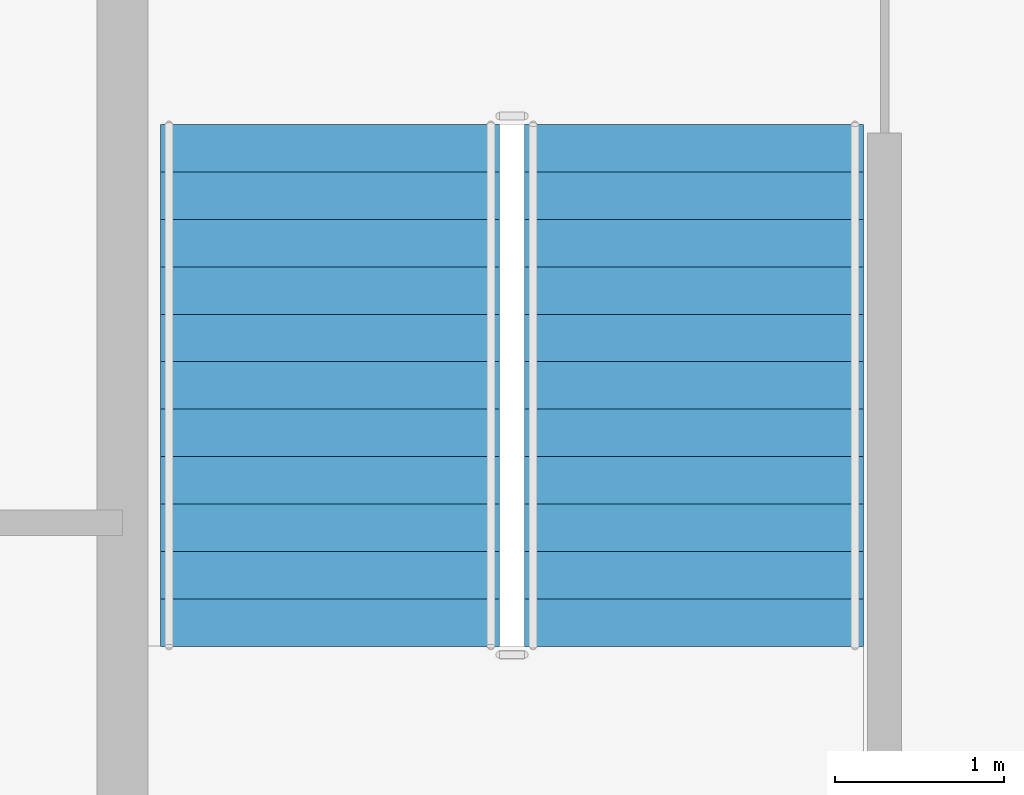
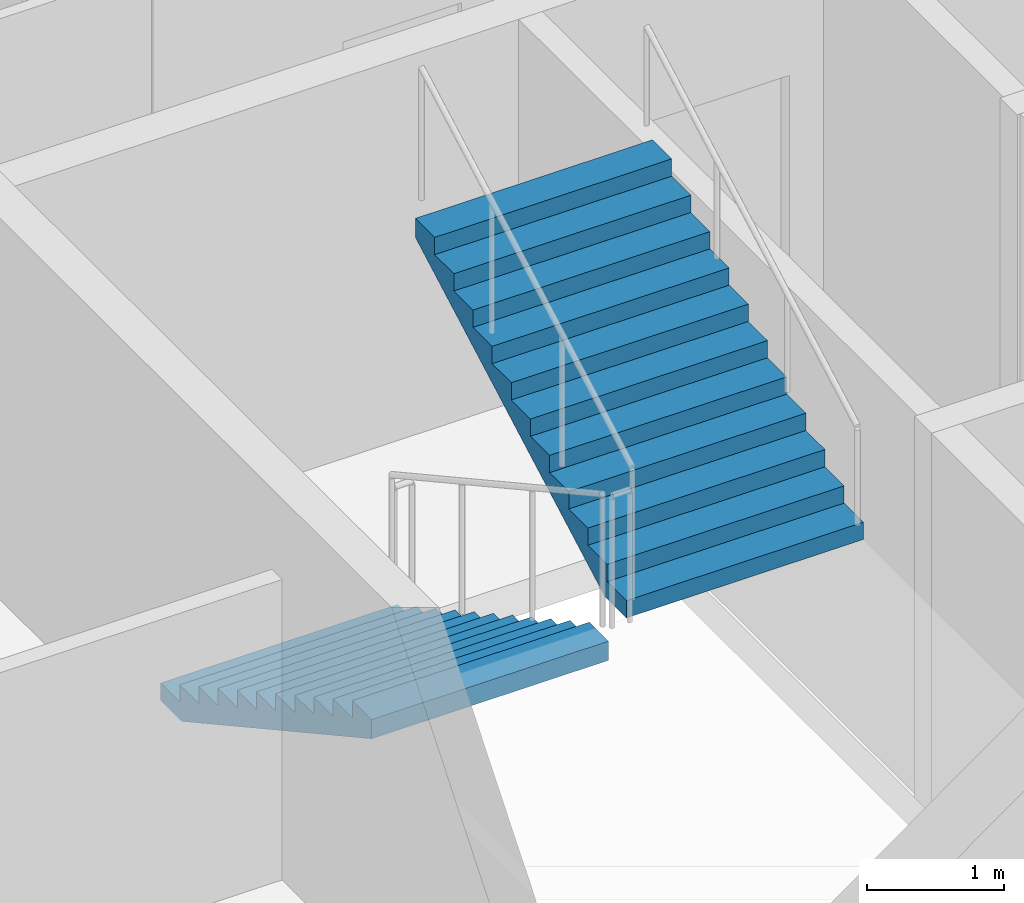
# One storey, part 9 of 17: 2 stair flights, 1 element without a shape of its own.
"""IFC4 building model written with IfcOpenShell, lengths in metres."""

from ifc_helpers import new_model, si_unit, direction, frame, origin, place, context, subcontext, project, spatial, polygons, material, type_object, element, aggregate, save


model = new_model("IFC4")

# Units and contexts
model_context = context("Model", 3, precision=1e-05, world=origin(), true_north=direction((0.0, 1.0)))
body_context = subcontext(model_context, "Body", "Model", "MODEL_VIEW")
ifc_project = project(units=[si_unit("LENGTHUNIT", "METRE"), si_unit("AREAUNIT", "SQUARE_METRE"), si_unit("VOLUMEUNIT", "CUBIC_METRE"), si_unit("PLANEANGLEUNIT", "RADIAN"), si_unit("MASSUNIT", "GRAM", prefix="KILO")], contexts=[model_context])

# Site, building, storey
site_placement = place(None, origin())
site = spatial("IfcSite", under=ifc_project, at=site_placement, CompositionType="ELEMENT")
building_placement = place(site_placement, origin())
building = spatial("IfcBuilding", under=site, at=building_placement, Name="Caravel Reach Hotel and Residences", CompositionType="ELEMENT")
storey_placement = place(building_placement, frame((0.0, 0.0, 222.0)))
storey = spatial("IfcBuildingStorey", under=building, at=storey_placement, Name="L56", CompositionType="ELEMENT", Elevation=222.0)

# Stair, stair flights
ifc_material_1 = material(Name="Concrete C40", Category="concrete")
stair_type = type_object("IfcStairType", Name="Core stair", PredefinedType="HALF_TURN_STAIR", material=ifc_material_1)
stair_placement = place(storey_placement, origin())
stair = element("IfcStair", 1, at=stair_placement, inside=storey, type_object=stair_type, Name="L56 Exit stair A", PredefinedType="HALF_TURN_STAIR")
ifc_material_2 = material(Name="Concrete C40", Category="concrete")
stair_flight_type = type_object("IfcStairFlightType", Name="Core stair flight", PredefinedType="STRAIGHT", material=ifc_material_2)
stair_flight_1_placement = place(storey_placement, frame((19.22509765625, 29.35009765625, 0.0), z_axis=(0.0, 0.0, 1.0), x_axis=(0.0, -1.0, 0.0)))
stair_flight_1 = element("IfcStairFlight", 2, at=stair_flight_1_placement, type_object=stair_flight_type, Name="ST-A flight 1", NumberOfRisers=12, NumberOfTreads=11, PredefinedType="STRAIGHT", RiserHeight=0.154166667, TreadLength=0.28, context=body_context, shape_type="Tessellation", body=[
    polygons([(0.3107950034306102, 1.0, 0.0), (0.3107950034306102, 0.6666666666666667, 0.0), (0.3107950034306102, 0.33333333333333337, 0.0), (0.3107950034306102, 0.0, 0.0), (0.3107950034306102, -0.33333333333333326, 0.0), (0.3107950034306102, -0.6666666666666667, 0.0), (0.3107950034306102, -1.0, 0.0), (3.081, 1.0, 1.524711087717319), (3.081, 0.6666666666666667, 1.524711087717319), (3.081, 0.33333333333333337, 1.524711087717319), (3.081, 0.0, 1.524711087717319), (3.081, -0.33333333333333326, 1.524711087717319), (3.081, -0.6666666666666667, 1.524711087717319), (3.081, -1.0, 1.524711087717319), (3.081, 1.0, 1.695833337), (3.081, 0.6666666666666667, 1.695833337), (3.081, 0.33333333333333337, 1.695833337), (3.081, 0.0, 1.695833337), (3.081, -0.33333333333333326, 1.695833337), (3.081, -0.6666666666666667, 1.695833337), (3.081, -1.0, 1.695833337), (2.8000000000000003, 1.0, 1.695833337), (2.8000000000000003, 0.6666666666666667, 1.695833337), (2.8000000000000003, 0.33333333333333337, 1.695833337), (2.8000000000000003, 0.0, 1.695833337), (2.8000000000000003, -0.33333333333333326, 1.695833337), (2.8000000000000003, -0.6666666666666667, 1.695833337), (2.8000000000000003, -1.0, 1.695833337), (2.8000000000000003, 1.0, 1.5416666700000001), (2.8000000000000003, 0.6666666666666667, 1.5416666700000001), (2.8000000000000003, 0.33333333333333337, 1.5416666700000001), (2.8000000000000003, 0.0, 1.5416666700000001), (2.8000000000000003, -0.33333333333333326, 1.5416666700000001), (2.8000000000000003, -0.6666666666666667, 1.5416666700000001), (2.8000000000000003, -1.0, 1.5416666700000001), (2.5200000000000005, 1.0, 1.5416666700000001), (2.5200000000000005, 0.6666666666666667, 1.5416666700000001), (2.5200000000000005, 0.33333333333333337, 1.5416666700000001), (2.5200000000000005, 0.0, 1.5416666700000001), (2.5200000000000005, -0.33333333333333326, 1.5416666700000001), (2.5200000000000005, -0.6666666666666667, 1.5416666700000001), (2.5200000000000005, -1.0, 1.5416666700000001), (2.5200000000000005, 1.0, 1.387500003), (2.5200000000000005, 0.6666666666666667, 1.387500003), (2.5200000000000005, 0.33333333333333337, 1.387500003), (2.5200000000000005, 0.0, 1.387500003), (2.5200000000000005, -0.33333333333333326, 1.387500003), (2.5200000000000005, -0.6666666666666667, 1.387500003), (2.5200000000000005, -1.0, 1.387500003), (2.24, 1.0, 1.387500003), (2.24, 0.6666666666666667, 1.387500003), (2.24, 0.33333333333333337, 1.387500003), (2.24, 0.0, 1.387500003), (2.24, -0.33333333333333326, 1.387500003), (2.24, -0.6666666666666667, 1.387500003), (2.24, -1.0, 1.387500003), (2.24, 1.0, 1.233333336), (2.24, 0.6666666666666667, 1.233333336), (2.24, 0.33333333333333337, 1.233333336), (2.24, 0.0, 1.233333336), (2.24, -0.33333333333333326, 1.233333336), (2.24, -0.6666666666666667, 1.233333336), (2.24, -1.0, 1.233333336), (1.9600000000000002, 1.0, 1.233333336), (1.9600000000000002, 0.6666666666666667, 1.233333336), (1.9600000000000002, 0.33333333333333337, 1.233333336), (1.9600000000000002, 0.0, 1.233333336), (1.9600000000000002, -0.33333333333333326, 1.233333336), (1.9600000000000002, -0.6666666666666667, 1.233333336), (1.9600000000000002, -1.0, 1.233333336), (1.9600000000000002, 1.0, 1.0791666690000001), (1.9600000000000002, 0.6666666666666667, 1.0791666690000001), (1.9600000000000002, 0.33333333333333337, 1.0791666690000001), (1.9600000000000002, 0.0, 1.0791666690000001), (1.9600000000000002, -0.33333333333333326, 1.0791666690000001), (1.9600000000000002, -0.6666666666666667, 1.0791666690000001), (1.9600000000000002, -1.0, 1.0791666690000001), (1.6800000000000002, 1.0, 1.0791666690000001), (1.6800000000000002, 0.6666666666666667, 1.0791666690000001), (1.6800000000000002, 0.33333333333333337, 1.0791666690000001), (1.6800000000000002, 0.0, 1.0791666690000001), (1.6800000000000002, -0.33333333333333326, 1.0791666690000001), (1.6800000000000002, -0.6666666666666667, 1.0791666690000001), (1.6800000000000002, -1.0, 1.0791666690000001), (1.6800000000000002, 1.0, 0.925000002), (1.6800000000000002, 0.6666666666666667, 0.925000002), (1.6800000000000002, 0.33333333333333337, 0.925000002), (1.6800000000000002, 0.0, 0.925000002), (1.6800000000000002, -0.33333333333333326, 0.925000002), (1.6800000000000002, -0.6666666666666667, 0.925000002), (1.6800000000000002, -1.0, 0.925000002), (1.4000000000000001, 1.0, 0.925000002), (1.4000000000000001, 0.6666666666666667, 0.925000002), (1.4000000000000001, 0.33333333333333337, 0.925000002), (1.4000000000000001, 0.0, 0.925000002), (1.4000000000000001, -0.33333333333333326, 0.925000002), (1.4000000000000001, -0.6666666666666667, 0.925000002), (1.4000000000000001, -1.0, 0.925000002), (1.4000000000000001, 1.0, 0.7708333350000001), (1.4000000000000001, 0.6666666666666667, 0.7708333350000001), (1.4000000000000001, 0.33333333333333337, 0.7708333350000001), (1.4000000000000001, 0.0, 0.7708333350000001), (1.4000000000000001, -0.33333333333333326, 0.7708333350000001), (1.4000000000000001, -0.6666666666666667, 0.7708333350000001), (1.4000000000000001, -1.0, 0.7708333350000001), (1.12, 1.0, 0.7708333350000001), (1.12, 0.6666666666666667, 0.7708333350000001), (1.12, 0.33333333333333337, 0.7708333350000001), (1.12, 0.0, 0.7708333350000001), (1.12, -0.33333333333333326, 0.7708333350000001), (1.12, -0.6666666666666667, 0.7708333350000001), (1.12, -1.0, 0.7708333350000001), (1.12, 1.0, 0.616666668), (1.12, 0.6666666666666667, 0.616666668), (1.12, 0.33333333333333337, 0.616666668), (1.12, 0.0, 0.616666668), (1.12, -0.33333333333333326, 0.616666668), (1.12, -0.6666666666666667, 0.616666668), (1.12, -1.0, 0.616666668), (0.8400000000000001, 1.0, 0.616666668), (0.8400000000000001, 0.6666666666666667, 0.616666668), (0.8400000000000001, 0.33333333333333337, 0.616666668), (0.8400000000000001, 0.0, 0.616666668), (0.8400000000000001, -0.33333333333333326, 0.616666668), (0.8400000000000001, -0.6666666666666667, 0.616666668), (0.8400000000000001, -1.0, 0.616666668), (0.8400000000000001, 1.0, 0.462500001), (0.8400000000000001, 0.6666666666666667, 0.462500001), (0.8400000000000001, 0.33333333333333337, 0.462500001), (0.8400000000000001, 0.0, 0.462500001), (0.8400000000000001, -0.33333333333333326, 0.462500001), (0.8400000000000001, -0.6666666666666667, 0.462500001), (0.8400000000000001, -1.0, 0.462500001), (0.56, 1.0, 0.462500001), (0.56, 0.6666666666666667, 0.462500001), (0.56, 0.33333333333333337, 0.462500001), (0.56, 0.0, 0.462500001), (0.56, -0.33333333333333326, 0.462500001), (0.56, -0.6666666666666667, 0.462500001), (0.56, -1.0, 0.462500001), (0.56, 1.0, 0.308333334), (0.56, 0.6666666666666667, 0.308333334), (0.56, 0.33333333333333337, 0.308333334), (0.56, 0.0, 0.308333334), (0.56, -0.33333333333333326, 0.308333334), (0.56, -0.6666666666666667, 0.308333334), (0.56, -1.0, 0.308333334), (0.28, 1.0, 0.308333334), (0.28, 0.6666666666666667, 0.308333334), (0.28, 0.33333333333333337, 0.308333334), (0.28, 0.0, 0.308333334), (0.28, -0.33333333333333326, 0.308333334), (0.28, -0.6666666666666667, 0.308333334), (0.28, -1.0, 0.308333334), (0.28, 1.0, 0.154166667), (0.28, 0.6666666666666667, 0.154166667), (0.28, 0.33333333333333337, 0.154166667), (0.28, 0.0, 0.154166667), (0.28, -0.33333333333333326, 0.154166667), (0.28, -0.6666666666666667, 0.154166667), (0.28, -1.0, 0.154166667), (-0.001, 1.0, 0.154166667), (-0.001, 0.6666666666666667, 0.154166667), (-0.001, 0.33333333333333337, 0.154166667), (-0.001, 0.0, 0.154166667), (-0.001, -0.33333333333333326, 0.154166667), (-0.001, -0.6666666666666667, 0.154166667), (-0.001, -1.0, 0.154166667), (-0.001, 1.0, 0.0), (-0.001, 0.6666666666666667, 0.0), (-0.001, 0.33333333333333337, 0.0), (-0.001, 0.0, 0.0), (-0.001, -0.33333333333333326, 0.0), (-0.001, -0.6666666666666667, 0.0), (-0.001, -1.0, 0.0)], [[[169, 162, 155, 148, 141, 134, 127, 120, 113, 106, 99, 92, 85, 78, 71, 64, 57, 50, 43, 36, 29, 22, 15, 8, 1]], [[7, 14, 21, 28, 35, 42, 49, 56, 63, 70, 77, 84, 91, 98, 105, 112, 119, 126, 133, 140, 147, 154, 161, 168, 175]], [[1, 8, 9, 2]], [[2, 9, 10, 3]], [[3, 10, 11, 4]], [[4, 11, 12, 5]], [[5, 12, 13, 6]], [[6, 13, 14, 7]], [[8, 15, 16, 9]], [[9, 16, 17, 10]], [[10, 17, 18, 11]], [[11, 18, 19, 12]], [[12, 19, 20, 13]], [[13, 20, 21, 14]], [[15, 22, 23, 16]], [[16, 23, 24, 17]], [[17, 24, 25, 18]], [[18, 25, 26, 19]], [[19, 26, 27, 20]], [[20, 27, 28, 21]], [[22, 29, 30, 23]], [[23, 30, 31, 24]], [[24, 31, 32, 25]], [[25, 32, 33, 26]], [[26, 33, 34, 27]], [[27, 34, 35, 28]], [[29, 36, 37, 30]], [[30, 37, 38, 31]], [[31, 38, 39, 32]], [[32, 39, 40, 33]], [[33, 40, 41, 34]], [[34, 41, 42, 35]], [[36, 43, 44, 37]], [[37, 44, 45, 38]], [[38, 45, 46, 39]], [[39, 46, 47, 40]], [[40, 47, 48, 41]], [[41, 48, 49, 42]], [[43, 50, 51, 44]], [[44, 51, 52, 45]], [[45, 52, 53, 46]], [[46, 53, 54, 47]], [[47, 54, 55, 48]], [[48, 55, 56, 49]], [[50, 57, 58, 51]], [[51, 58, 59, 52]], [[52, 59, 60, 53]], [[53, 60, 61, 54]], [[54, 61, 62, 55]], [[55, 62, 63, 56]], [[57, 64, 65, 58]], [[58, 65, 66, 59]], [[59, 66, 67, 60]], [[60, 67, 68, 61]], [[61, 68, 69, 62]], [[62, 69, 70, 63]], [[64, 71, 72, 65]], [[65, 72, 73, 66]], [[66, 73, 74, 67]], [[67, 74, 75, 68]], [[68, 75, 76, 69]], [[69, 76, 77, 70]], [[71, 78, 79, 72]], [[72, 79, 80, 73]], [[73, 80, 81, 74]], [[74, 81, 82, 75]], [[75, 82, 83, 76]], [[76, 83, 84, 77]], [[78, 85, 86, 79]], [[79, 86, 87, 80]], [[80, 87, 88, 81]], [[81, 88, 89, 82]], [[82, 89, 90, 83]], [[83, 90, 91, 84]], [[85, 92, 93, 86]], [[86, 93, 94, 87]], [[87, 94, 95, 88]], [[88, 95, 96, 89]], [[89, 96, 97, 90]], [[90, 97, 98, 91]], [[92, 99, 100, 93]], [[93, 100, 101, 94]], [[94, 101, 102, 95]], [[95, 102, 103, 96]], [[96, 103, 104, 97]], [[97, 104, 105, 98]], [[99, 106, 107, 100]], [[100, 107, 108, 101]], [[101, 108, 109, 102]], [[102, 109, 110, 103]], [[103, 110, 111, 104]], [[104, 111, 112, 105]], [[106, 113, 114, 107]], [[107, 114, 115, 108]], [[108, 115, 116, 109]], [[109, 116, 117, 110]], [[110, 117, 118, 111]], [[111, 118, 119, 112]], [[113, 120, 121, 114]], [[114, 121, 122, 115]], [[115, 122, 123, 116]], [[116, 123, 124, 117]], [[117, 124, 125, 118]], [[118, 125, 126, 119]], [[120, 127, 128, 121]], [[121, 128, 129, 122]], [[122, 129, 130, 123]], [[123, 130, 131, 124]], [[124, 131, 132, 125]], [[125, 132, 133, 126]], [[127, 134, 135, 128]], [[128, 135, 136, 129]], [[129, 136, 137, 130]], [[130, 137, 138, 131]], [[131, 138, 139, 132]], [[132, 139, 140, 133]], [[134, 141, 142, 135]], [[135, 142, 143, 136]], [[136, 143, 144, 137]], [[137, 144, 145, 138]], [[138, 145, 146, 139]], [[139, 146, 147, 140]], [[141, 148, 149, 142]], [[142, 149, 150, 143]], [[143, 150, 151, 144]], [[144, 151, 152, 145]], [[145, 152, 153, 146]], [[146, 153, 154, 147]], [[148, 155, 156, 149]], [[149, 156, 157, 150]], [[150, 157, 158, 151]], [[151, 158, 159, 152]], [[152, 159, 160, 153]], [[153, 160, 161, 154]], [[155, 162, 163, 156]], [[156, 163, 164, 157]], [[157, 164, 165, 158]], [[158, 165, 166, 159]], [[159, 166, 167, 160]], [[160, 167, 168, 161]], [[162, 169, 170, 163]], [[163, 170, 171, 164]], [[164, 171, 172, 165]], [[165, 172, 173, 166]], [[166, 173, 174, 167]], [[167, 174, 175, 168]], [[169, 1, 2, 170]], [[170, 2, 3, 171]], [[171, 3, 4, 172]], [[172, 4, 5, 173]], [[173, 5, 6, 174]], [[174, 6, 7, 175]]], closed=True),
])
stair_flight_2_placement = place(storey_placement, frame((21.375, 26.27001953125, 1.85009765625), z_axis=(0.0, 0.0, 1.0), x_axis=(0.0, 1.0, 0.0)))
stair_flight_2 = element("IfcStairFlight", 3, at=stair_flight_2_placement, type_object=stair_flight_type, Name="ST-A flight 2", NumberOfRisers=12, NumberOfTreads=11, PredefinedType="STRAIGHT", RiserHeight=0.154166667, TreadLength=0.28, context=body_context, shape_type="Tessellation", body=[
    polygons([(0.3107950034306102, 1.0, 0.0), (0.3107950034306102, 0.6666666666666667, 0.0), (0.3107950034306102, 0.33333333333333337, 0.0), (0.3107950034306102, 0.0, 0.0), (0.3107950034306102, -0.33333333333333326, 0.0), (0.3107950034306102, -0.6666666666666667, 0.0), (0.3107950034306102, -1.0, 0.0), (3.081, 1.0, 1.524711087717319), (3.081, 0.6666666666666667, 1.524711087717319), (3.081, 0.33333333333333337, 1.524711087717319), (3.081, 0.0, 1.524711087717319), (3.081, -0.33333333333333326, 1.524711087717319), (3.081, -0.6666666666666667, 1.524711087717319), (3.081, -1.0, 1.524711087717319), (3.081, 1.0, 1.695833337), (3.081, 0.6666666666666667, 1.695833337), (3.081, 0.33333333333333337, 1.695833337), (3.081, 0.0, 1.695833337), (3.081, -0.33333333333333326, 1.695833337), (3.081, -0.6666666666666667, 1.695833337), (3.081, -1.0, 1.695833337), (2.8000000000000003, 1.0, 1.695833337), (2.8000000000000003, 0.6666666666666667, 1.695833337), (2.8000000000000003, 0.33333333333333337, 1.695833337), (2.8000000000000003, 0.0, 1.695833337), (2.8000000000000003, -0.33333333333333326, 1.695833337), (2.8000000000000003, -0.6666666666666667, 1.695833337), (2.8000000000000003, -1.0, 1.695833337), (2.8000000000000003, 1.0, 1.5416666700000001), (2.8000000000000003, 0.6666666666666667, 1.5416666700000001), (2.8000000000000003, 0.33333333333333337, 1.5416666700000001), (2.8000000000000003, 0.0, 1.5416666700000001), (2.8000000000000003, -0.33333333333333326, 1.5416666700000001), (2.8000000000000003, -0.6666666666666667, 1.5416666700000001), (2.8000000000000003, -1.0, 1.5416666700000001), (2.5200000000000005, 1.0, 1.5416666700000001), (2.5200000000000005, 0.6666666666666667, 1.5416666700000001), (2.5200000000000005, 0.33333333333333337, 1.5416666700000001), (2.5200000000000005, 0.0, 1.5416666700000001), (2.5200000000000005, -0.33333333333333326, 1.5416666700000001), (2.5200000000000005, -0.6666666666666667, 1.5416666700000001), (2.5200000000000005, -1.0, 1.5416666700000001), (2.5200000000000005, 1.0, 1.387500003), (2.5200000000000005, 0.6666666666666667, 1.387500003), (2.5200000000000005, 0.33333333333333337, 1.387500003), (2.5200000000000005, 0.0, 1.387500003), (2.5200000000000005, -0.33333333333333326, 1.387500003), (2.5200000000000005, -0.6666666666666667, 1.387500003), (2.5200000000000005, -1.0, 1.387500003), (2.24, 1.0, 1.387500003), (2.24, 0.6666666666666667, 1.387500003), (2.24, 0.33333333333333337, 1.387500003), (2.24, 0.0, 1.387500003), (2.24, -0.33333333333333326, 1.387500003), (2.24, -0.6666666666666667, 1.387500003), (2.24, -1.0, 1.387500003), (2.24, 1.0, 1.233333336), (2.24, 0.6666666666666667, 1.233333336), (2.24, 0.33333333333333337, 1.233333336), (2.24, 0.0, 1.233333336), (2.24, -0.33333333333333326, 1.233333336), (2.24, -0.6666666666666667, 1.233333336), (2.24, -1.0, 1.233333336), (1.9600000000000002, 1.0, 1.233333336), (1.9600000000000002, 0.6666666666666667, 1.233333336), (1.9600000000000002, 0.33333333333333337, 1.233333336), (1.9600000000000002, 0.0, 1.233333336), (1.9600000000000002, -0.33333333333333326, 1.233333336), (1.9600000000000002, -0.6666666666666667, 1.233333336), (1.9600000000000002, -1.0, 1.233333336), (1.9600000000000002, 1.0, 1.0791666690000001), (1.9600000000000002, 0.6666666666666667, 1.0791666690000001), (1.9600000000000002, 0.33333333333333337, 1.0791666690000001), (1.9600000000000002, 0.0, 1.0791666690000001), (1.9600000000000002, -0.33333333333333326, 1.0791666690000001), (1.9600000000000002, -0.6666666666666667, 1.0791666690000001), (1.9600000000000002, -1.0, 1.0791666690000001), (1.6800000000000002, 1.0, 1.0791666690000001), (1.6800000000000002, 0.6666666666666667, 1.0791666690000001), (1.6800000000000002, 0.33333333333333337, 1.0791666690000001), (1.6800000000000002, 0.0, 1.0791666690000001), (1.6800000000000002, -0.33333333333333326, 1.0791666690000001), (1.6800000000000002, -0.6666666666666667, 1.0791666690000001), (1.6800000000000002, -1.0, 1.0791666690000001), (1.6800000000000002, 1.0, 0.925000002), (1.6800000000000002, 0.6666666666666667, 0.925000002), (1.6800000000000002, 0.33333333333333337, 0.925000002), (1.6800000000000002, 0.0, 0.925000002), (1.6800000000000002, -0.33333333333333326, 0.925000002), (1.6800000000000002, -0.6666666666666667, 0.925000002), (1.6800000000000002, -1.0, 0.925000002), (1.4000000000000001, 1.0, 0.925000002), (1.4000000000000001, 0.6666666666666667, 0.925000002), (1.4000000000000001, 0.33333333333333337, 0.925000002), (1.4000000000000001, 0.0, 0.925000002), (1.4000000000000001, -0.33333333333333326, 0.925000002), (1.4000000000000001, -0.6666666666666667, 0.925000002), (1.4000000000000001, -1.0, 0.925000002), (1.4000000000000001, 1.0, 0.7708333350000001), (1.4000000000000001, 0.6666666666666667, 0.7708333350000001), (1.4000000000000001, 0.33333333333333337, 0.7708333350000001), (1.4000000000000001, 0.0, 0.7708333350000001), (1.4000000000000001, -0.33333333333333326, 0.7708333350000001), (1.4000000000000001, -0.6666666666666667, 0.7708333350000001), (1.4000000000000001, -1.0, 0.7708333350000001), (1.12, 1.0, 0.7708333350000001), (1.12, 0.6666666666666667, 0.7708333350000001), (1.12, 0.33333333333333337, 0.7708333350000001), (1.12, 0.0, 0.7708333350000001), (1.12, -0.33333333333333326, 0.7708333350000001), (1.12, -0.6666666666666667, 0.7708333350000001), (1.12, -1.0, 0.7708333350000001), (1.12, 1.0, 0.616666668), (1.12, 0.6666666666666667, 0.616666668), (1.12, 0.33333333333333337, 0.616666668), (1.12, 0.0, 0.616666668), (1.12, -0.33333333333333326, 0.616666668), (1.12, -0.6666666666666667, 0.616666668), (1.12, -1.0, 0.616666668), (0.8400000000000001, 1.0, 0.616666668), (0.8400000000000001, 0.6666666666666667, 0.616666668), (0.8400000000000001, 0.33333333333333337, 0.616666668), (0.8400000000000001, 0.0, 0.616666668), (0.8400000000000001, -0.33333333333333326, 0.616666668), (0.8400000000000001, -0.6666666666666667, 0.616666668), (0.8400000000000001, -1.0, 0.616666668), (0.8400000000000001, 1.0, 0.462500001), (0.8400000000000001, 0.6666666666666667, 0.462500001), (0.8400000000000001, 0.33333333333333337, 0.462500001), (0.8400000000000001, 0.0, 0.462500001), (0.8400000000000001, -0.33333333333333326, 0.462500001), (0.8400000000000001, -0.6666666666666667, 0.462500001), (0.8400000000000001, -1.0, 0.462500001), (0.56, 1.0, 0.462500001), (0.56, 0.6666666666666667, 0.462500001), (0.56, 0.33333333333333337, 0.462500001), (0.56, 0.0, 0.462500001), (0.56, -0.33333333333333326, 0.462500001), (0.56, -0.6666666666666667, 0.462500001), (0.56, -1.0, 0.462500001), (0.56, 1.0, 0.308333334), (0.56, 0.6666666666666667, 0.308333334), (0.56, 0.33333333333333337, 0.308333334), (0.56, 0.0, 0.308333334), (0.56, -0.33333333333333326, 0.308333334), (0.56, -0.6666666666666667, 0.308333334), (0.56, -1.0, 0.308333334), (0.28, 1.0, 0.308333334), (0.28, 0.6666666666666667, 0.308333334), (0.28, 0.33333333333333337, 0.308333334), (0.28, 0.0, 0.308333334), (0.28, -0.33333333333333326, 0.308333334), (0.28, -0.6666666666666667, 0.308333334), (0.28, -1.0, 0.308333334), (0.28, 1.0, 0.154166667), (0.28, 0.6666666666666667, 0.154166667), (0.28, 0.33333333333333337, 0.154166667), (0.28, 0.0, 0.154166667), (0.28, -0.33333333333333326, 0.154166667), (0.28, -0.6666666666666667, 0.154166667), (0.28, -1.0, 0.154166667), (-0.001, 1.0, 0.154166667), (-0.001, 0.6666666666666667, 0.154166667), (-0.001, 0.33333333333333337, 0.154166667), (-0.001, 0.0, 0.154166667), (-0.001, -0.33333333333333326, 0.154166667), (-0.001, -0.6666666666666667, 0.154166667), (-0.001, -1.0, 0.154166667), (-0.001, 1.0, 0.0), (-0.001, 0.6666666666666667, 0.0), (-0.001, 0.33333333333333337, 0.0), (-0.001, 0.0, 0.0), (-0.001, -0.33333333333333326, 0.0), (-0.001, -0.6666666666666667, 0.0), (-0.001, -1.0, 0.0)], [[[169, 162, 155, 148, 141, 134, 127, 120, 113, 106, 99, 92, 85, 78, 71, 64, 57, 50, 43, 36, 29, 22, 15, 8, 1]], [[7, 14, 21, 28, 35, 42, 49, 56, 63, 70, 77, 84, 91, 98, 105, 112, 119, 126, 133, 140, 147, 154, 161, 168, 175]], [[1, 8, 9, 2]], [[2, 9, 10, 3]], [[3, 10, 11, 4]], [[4, 11, 12, 5]], [[5, 12, 13, 6]], [[6, 13, 14, 7]], [[8, 15, 16, 9]], [[9, 16, 17, 10]], [[10, 17, 18, 11]], [[11, 18, 19, 12]], [[12, 19, 20, 13]], [[13, 20, 21, 14]], [[15, 22, 23, 16]], [[16, 23, 24, 17]], [[17, 24, 25, 18]], [[18, 25, 26, 19]], [[19, 26, 27, 20]], [[20, 27, 28, 21]], [[22, 29, 30, 23]], [[23, 30, 31, 24]], [[24, 31, 32, 25]], [[25, 32, 33, 26]], [[26, 33, 34, 27]], [[27, 34, 35, 28]], [[29, 36, 37, 30]], [[30, 37, 38, 31]], [[31, 38, 39, 32]], [[32, 39, 40, 33]], [[33, 40, 41, 34]], [[34, 41, 42, 35]], [[36, 43, 44, 37]], [[37, 44, 45, 38]], [[38, 45, 46, 39]], [[39, 46, 47, 40]], [[40, 47, 48, 41]], [[41, 48, 49, 42]], [[43, 50, 51, 44]], [[44, 51, 52, 45]], [[45, 52, 53, 46]], [[46, 53, 54, 47]], [[47, 54, 55, 48]], [[48, 55, 56, 49]], [[50, 57, 58, 51]], [[51, 58, 59, 52]], [[52, 59, 60, 53]], [[53, 60, 61, 54]], [[54, 61, 62, 55]], [[55, 62, 63, 56]], [[57, 64, 65, 58]], [[58, 65, 66, 59]], [[59, 66, 67, 60]], [[60, 67, 68, 61]], [[61, 68, 69, 62]], [[62, 69, 70, 63]], [[64, 71, 72, 65]], [[65, 72, 73, 66]], [[66, 73, 74, 67]], [[67, 74, 75, 68]], [[68, 75, 76, 69]], [[69, 76, 77, 70]], [[71, 78, 79, 72]], [[72, 79, 80, 73]], [[73, 80, 81, 74]], [[74, 81, 82, 75]], [[75, 82, 83, 76]], [[76, 83, 84, 77]], [[78, 85, 86, 79]], [[79, 86, 87, 80]], [[80, 87, 88, 81]], [[81, 88, 89, 82]], [[82, 89, 90, 83]], [[83, 90, 91, 84]], [[85, 92, 93, 86]], [[86, 93, 94, 87]], [[87, 94, 95, 88]], [[88, 95, 96, 89]], [[89, 96, 97, 90]], [[90, 97, 98, 91]], [[92, 99, 100, 93]], [[93, 100, 101, 94]], [[94, 101, 102, 95]], [[95, 102, 103, 96]], [[96, 103, 104, 97]], [[97, 104, 105, 98]], [[99, 106, 107, 100]], [[100, 107, 108, 101]], [[101, 108, 109, 102]], [[102, 109, 110, 103]], [[103, 110, 111, 104]], [[104, 111, 112, 105]], [[106, 113, 114, 107]], [[107, 114, 115, 108]], [[108, 115, 116, 109]], [[109, 116, 117, 110]], [[110, 117, 118, 111]], [[111, 118, 119, 112]], [[113, 120, 121, 114]], [[114, 121, 122, 115]], [[115, 122, 123, 116]], [[116, 123, 124, 117]], [[117, 124, 125, 118]], [[118, 125, 126, 119]], [[120, 127, 128, 121]], [[121, 128, 129, 122]], [[122, 129, 130, 123]], [[123, 130, 131, 124]], [[124, 131, 132, 125]], [[125, 132, 133, 126]], [[127, 134, 135, 128]], [[128, 135, 136, 129]], [[129, 136, 137, 130]], [[130, 137, 138, 131]], [[131, 138, 139, 132]], [[132, 139, 140, 133]], [[134, 141, 142, 135]], [[135, 142, 143, 136]], [[136, 143, 144, 137]], [[137, 144, 145, 138]], [[138, 145, 146, 139]], [[139, 146, 147, 140]], [[141, 148, 149, 142]], [[142, 149, 150, 143]], [[143, 150, 151, 144]], [[144, 151, 152, 145]], [[145, 152, 153, 146]], [[146, 153, 154, 147]], [[148, 155, 156, 149]], [[149, 156, 157, 150]], [[150, 157, 158, 151]], [[151, 158, 159, 152]], [[152, 159, 160, 153]], [[153, 160, 161, 154]], [[155, 162, 163, 156]], [[156, 163, 164, 157]], [[157, 164, 165, 158]], [[158, 165, 166, 159]], [[159, 166, 167, 160]], [[160, 167, 168, 161]], [[162, 169, 170, 163]], [[163, 170, 171, 164]], [[164, 171, 172, 165]], [[165, 172, 173, 166]], [[166, 173, 174, 167]], [[167, 174, 175, 168]], [[169, 1, 2, 170]], [[170, 2, 3, 171]], [[171, 3, 4, 172]], [[172, 4, 5, 173]], [[173, 5, 6, 174]], [[174, 6, 7, 175]]], closed=True),
])
aggregate(stair, [stair_flight_1, stair_flight_2])

save(model, "model.ifc")
